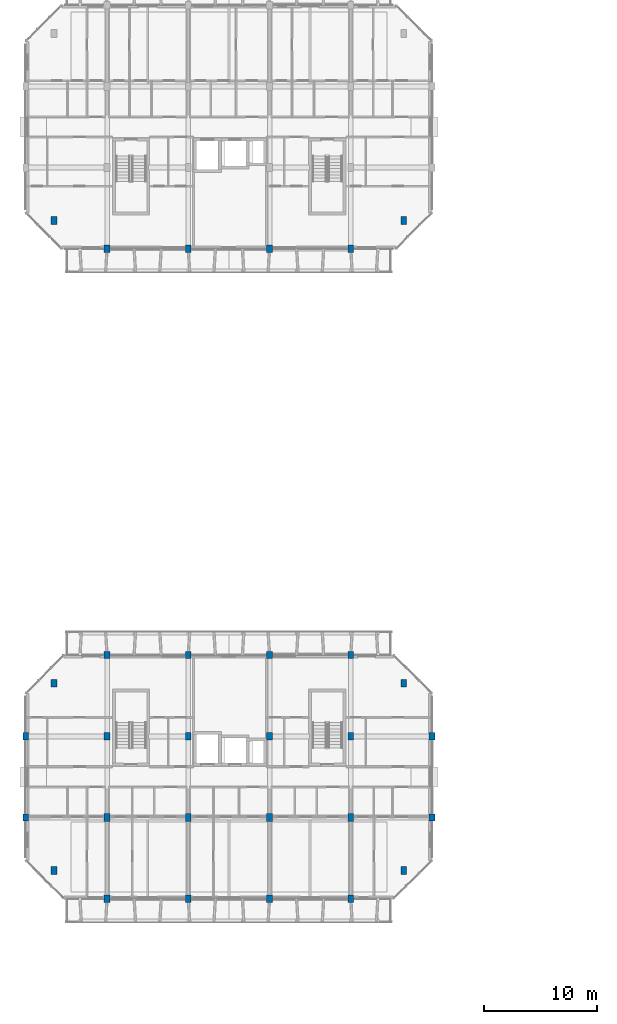
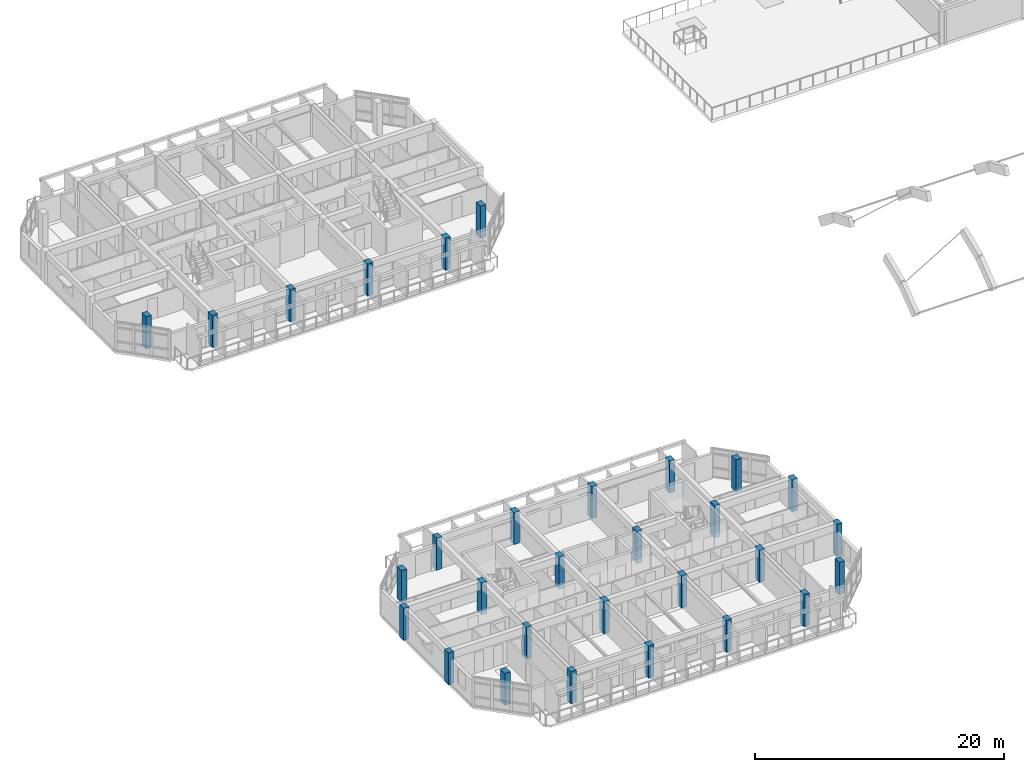
# One storey, part 1 of 64: 30 columns.
"""IFC4 building model written with IfcOpenShell, lengths in metres."""

from ifc_helpers import new_model, si_unit, direction, frame, origin, origin_2d, place, context, subcontext, project, spatial, rectangle, extrude, material, material_profile, profile_set, type_object, element, save


model = new_model("IFC4")

# Units and contexts
model_context = context("Model", 3, precision=1e-05, world=origin(), true_north=direction((0.0, 1.0)))
body_context = subcontext(model_context, "Body", "Model", "MODEL_VIEW")
ifc_project = project(units=[si_unit("LENGTHUNIT", "METRE"), si_unit("AREAUNIT", "SQUARE_METRE"), si_unit("VOLUMEUNIT", "CUBIC_METRE"), si_unit("PLANEANGLEUNIT", "RADIAN"), si_unit("MASSUNIT", "GRAM", prefix="KILO")], contexts=[model_context])

# Site, building, storey
site_placement = place(None, origin())
site = spatial("IfcSite", under=ifc_project, at=site_placement, CompositionType="ELEMENT")
building_placement = place(site_placement, origin())
building = spatial("IfcBuilding", under=site, at=building_placement, Name="Ochrevale Crest", CompositionType="ELEMENT")
storey_placement = place(building_placement, frame((0.0, 0.0, 8.699951171875)))
storey = spatial("IfcBuildingStorey", under=building, at=storey_placement, Name="L02", CompositionType="ELEMENT", Elevation=8.699951171875)

# Columns
ifc_material = material(Name="Precast concrete C50/60", Category="concrete")
ifc_material_profile_1 = material_profile(ifc_material, rectangle(XDim=0.5, YDim=0.64990234375, at=origin_2d()), Name="RC 500x650")
ifc_profile_set_1 = profile_set([ifc_material_profile_1], Name="Precast concrete C50/60")
column_type_1 = type_object("IfcColumnType", Name="COL-RC500x650", PredefinedType="COLUMN", material=ifc_profile_set_1)
for number, where, z_axis, x_axis, name in (
    (1, (0.0, 21.60009765625, 0.0), (0.0, 0.0, 1.0), (1.0, 0.0, 0.0), "Block A L02 column (0.0,21.6)"),
    (2, (0.0, 28.800048828125, 0.0), (0.0, 0.0, 1.0), (1.0, 0.0, 0.0), "Block A L02 column (0.0,28.8)"),
    (3, (7.199951171875, 14.39990234375, 0.0), (0.0, 0.0, 1.0), (1.0, 0.0, 0.0), "Block A L02 column (7.2,14.4)"),
    (4, (7.199951171875, 36.0, 0.0), (0.0, 0.0, 1.0), (1.0, 0.0, 0.0), "Block A L02 column (7.2,36.0)"),
    (5, (14.39990234375, 14.39990234375, 0.0), (0.0, 0.0, 1.0), (1.0, 0.0, 0.0), "Block A L02 column (14.4,14.4)"),
    (6, (14.39990234375, 36.0, 0.0), (0.0, 0.0, 1.0), (1.0, 0.0, 0.0), "Block A L02 column (14.4,36.0)"),
    (7, (21.60009765625, 14.39990234375, 0.0), (0.0, 0.0, 1.0), (1.0, 0.0, 0.0), "Block A L02 column (21.6,14.4)"),
    (8, (21.60009765625, 36.0, 0.0), (0.0, 0.0, 1.0), (1.0, 0.0, 0.0), "Block A L02 column (21.6,36.0)"),
    (9, (28.800048828125, 14.39990234375, 0.0), (0.0, 0.0, 1.0), (1.0, 0.0, 0.0), "Block A L02 column (28.8,14.4)"),
    (10, (28.800048828125, 36.0, 0.0), (0.0, 0.0, 1.0), (1.0, 0.0, 0.0), "Block A L02 column (28.8,36.0)"),
    (11, (36.0, 21.60009765625, 0.0), (0.0, 0.0, 1.0), (1.0, 0.0, 0.0), "Block A L02 column (36.0,21.6)"),
    (12, (36.0, 28.800048828125, 0.0), (0.0, 0.0, 1.0), (1.0, 0.0, 0.0), "Block A L02 column (36.0,28.8)"),
    (13, (7.199951171875, 72.0, 0.0), (0.0, 0.0, 1.0), (1.0, 0.0, 0.0), "Block B L02 column (7.2,72.0)"),
    (14, (14.39990234375, 72.0, 0.0), (0.0, 0.0, 1.0), (1.0, 0.0, 0.0), "Block B L02 column (14.4,72.0)"),
    (15, (21.60009765625, 72.0, 0.0), (0.0, 0.0, 1.0), (1.0, 0.0, 0.0), "Block B L02 column (21.6,72.0)"),
    (16, (28.800048828125, 72.0, 0.0), (0.0, 0.0, 1.0), (1.0, 0.0, 0.0), "Block B L02 column (28.8,72.0)"),
):
    element("IfcColumn", number, at=place(storey_placement, frame(where, z_axis=z_axis, x_axis=x_axis)), inside=storey, type_object=column_type_1, Name=name, PredefinedType="COLUMN", context=body_context, shape_type="SweptSolid", body=[
        extrude(rectangle(XDim=0.5, YDim=0.64990234375, at=origin_2d()), origin(), (0.0, 0.0, 1.0), 3.150146484375),
    ])
ifc_material_profile_2 = material_profile(ifc_material, rectangle(XDim=0.5, YDim=0.699951171875, at=origin_2d()), Name="RC 500x700")
ifc_profile_set_2 = profile_set([ifc_material_profile_2], Name="Precast concrete C50/60")
column_type_2 = type_object("IfcColumnType", Name="COL-RC500x700", PredefinedType="COLUMN", material=ifc_profile_set_2)
for number, where, z_axis, x_axis, name in (
    (17, (2.5, 16.89990234375, 0.0), (0.0, 0.0, 1.0), (1.0, 0.0, 0.0), "Block A L02 column (2.5,16.9)"),
    (18, (2.5, 33.5, 0.0), (0.0, 0.0, 1.0), (1.0, 0.0, 0.0), "Block A L02 column (2.5,33.5)"),
    (19, (7.199951171875, 21.60009765625, 0.0), (0.0, 0.0, 1.0), (1.0, 0.0, 0.0), "Block A L02 column (7.2,21.6)"),
    (20, (7.199951171875, 28.800048828125, 0.0), (0.0, 0.0, 1.0), (1.0, 0.0, 0.0), "Block A L02 column (7.2,28.8)"),
    (21, (14.39990234375, 21.60009765625, 0.0), (0.0, 0.0, 1.0), (1.0, 0.0, 0.0), "Block A L02 column (14.4,21.6)"),
    (22, (14.39990234375, 28.800048828125, 0.0), (0.0, 0.0, 1.0), (1.0, 0.0, 0.0), "Block A L02 column (14.4,28.8)"),
    (23, (21.60009765625, 21.60009765625, 0.0), (0.0, 0.0, 1.0), (1.0, 0.0, 0.0), "Block A L02 column (21.6,21.6)"),
    (24, (21.60009765625, 28.800048828125, 0.0), (0.0, 0.0, 1.0), (1.0, 0.0, 0.0), "Block A L02 column (21.6,28.8)"),
    (25, (28.800048828125, 21.60009765625, 0.0), (0.0, 0.0, 1.0), (1.0, 0.0, 0.0), "Block A L02 column (28.8,21.6)"),
    (26, (28.800048828125, 28.800048828125, 0.0), (0.0, 0.0, 1.0), (1.0, 0.0, 0.0), "Block A L02 column (28.8,28.8)"),
    (27, (33.5, 16.89990234375, 0.0), (0.0, 0.0, 1.0), (1.0, 0.0, 0.0), "Block A L02 column (33.5,16.9)"),
    (28, (33.5, 33.5, 0.0), (0.0, 0.0, 1.0), (1.0, 0.0, 0.0), "Block A L02 column (33.5,33.5)"),
    (29, (2.5, 74.5, 0.0), (0.0, 0.0, 1.0), (1.0, 0.0, 0.0), "Block B L02 column (2.5,74.5)"),
    (30, (33.5, 74.5, 0.0), (0.0, 0.0, 1.0), (1.0, 0.0, 0.0), "Block B L02 column (33.5,74.5)"),
):
    element("IfcColumn", number, at=place(storey_placement, frame(where, z_axis=z_axis, x_axis=x_axis)), inside=storey, type_object=column_type_2, Name=name, PredefinedType="COLUMN", context=body_context, shape_type="SweptSolid", body=[
        extrude(rectangle(XDim=0.5, YDim=0.699951171875, at=origin_2d()), origin(), (0.0, 0.0, 1.0), 3.150146484375),
    ])

save(model, "model.ifc")
